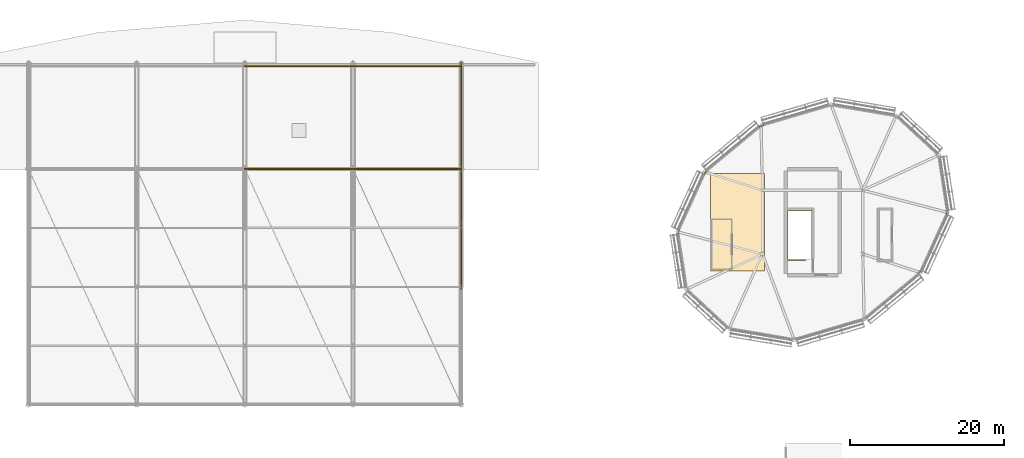
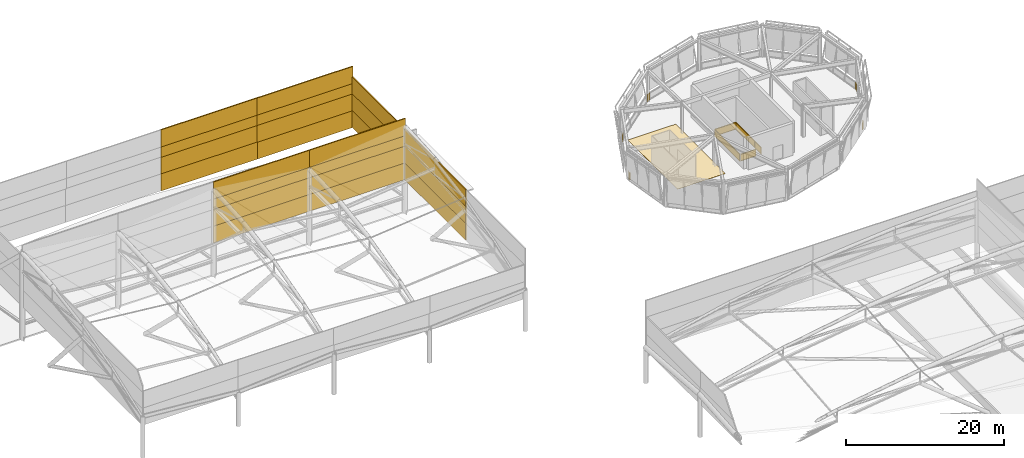
# One storey, part 112 of 113: 22 shading devices, 7 railings, 1 covering.
"""IFC4 building model written with IfcOpenShell, lengths in metres."""

import ifcopenshell
import ifcopenshell.guid

model = None  # the IFC model being written
_history = None  # IfcOwnerHistory: only IFC2X3 demands one
_inside = {}  # id of a spatial element -> (the spatial element, [elements in it])
_under = {}  # id of a project, library or spatial element -> (it, [spatial elements below it])
_declared = {}  # id of a project -> (the project, [libraries it declares])
_typed = {}  # id of a type object -> (the type object, [elements of that type])
_made_of = {}  # id of a material, layer set ... -> (it, [elements and type objects made of it])


def new_model(schema):
    """Start an empty IFC model of exactly this schema.

    Asked for "IFC4X3", IfcOpenShell would pick the latest addendum, in which some entities
    have other attributes; the version numbers below select the first issue.
    IFC2X3 requires an IfcOwnerHistory on every rooted entity: one is made here for all.
    """
    global model, _history
    if schema == "IFC4X3":
        model = ifcopenshell.file(schema_version=(4, 3, 0, 0))
    else:
        model = ifcopenshell.file(schema=schema)
    _inside.clear()
    _under.clear()
    _declared.clear()
    _typed.clear()
    _made_of.clear()
    _history = None
    if model.schema == "IFC2X3":
        org = make("IfcOrganization", Name="unknown")
        user = make(
            "IfcPersonAndOrganization",
            ThePerson=make("IfcPerson", FamilyName="unknown"),
            TheOrganization=org,
        )
        app = make(
            "IfcApplication",
            ApplicationDeveloper=org,
            Version="unknown",
            ApplicationFullName="unknown",
            ApplicationIdentifier="unknown",
        )
        _history = make(
            "IfcOwnerHistory",
            OwningUser=user,
            OwningApplication=app,
            ChangeAction="ADDED",
            CreationDate=0,
        )
    return model


def make(cls, **values):
    """One entity of the class cls with the attributes given. An attribute that is None is left unset."""
    return model.create_entity(
        cls, **{name: value for name, value in values.items() if value is not None}
    )


def rooted(cls, **values):
    """An entity with a GlobalId (a new one), such as an element, a storey or a relation."""
    return make(cls, GlobalId=ifcopenshell.guid.new(), OwnerHistory=_history, **values)


def si_unit(unit_type, name, prefix=None):
    """IfcSIUnit, for example si_unit("LENGTHUNIT", "METRE", prefix="MILLI")."""
    return make("IfcSIUnit", UnitType=unit_type, Prefix=prefix, Name=name)


def assignment(units):
    """IfcUnitAssignment: the units of a project."""
    return None if units is None else make("IfcUnitAssignment", Units=units)


def point(xyz):
    """IfcCartesianPoint."""
    return None if xyz is None else make("IfcCartesianPoint", Coordinates=xyz)


def direction(xyz):
    """IfcDirection."""
    return None if xyz is None else make("IfcDirection", DirectionRatios=xyz)


def frame(location, z_axis=None, x_axis=None):
    """IfcAxis2Placement3D, a coordinate frame: its origin and axes. An axis left out is left unset."""
    return make(
        "IfcAxis2Placement3D",
        Location=point(location),
        Axis=direction(z_axis),
        RefDirection=direction(x_axis),
    )


def frame_2d(location, x_axis=None):
    """IfcAxis2Placement2D, a coordinate frame in the plane: its origin and x axis."""
    return make(
        "IfcAxis2Placement2D", Location=point(location), RefDirection=direction(x_axis)
    )


def origin():
    """The frame at (0, 0, 0) with its axes left unset."""
    return frame((0.0, 0.0, 0.0))


def origin_2d():
    """The frame at (0, 0) in the plane with its x axis left unset."""
    return frame_2d((0.0, 0.0))


def place(relative_to, where):
    """IfcLocalPlacement: puts the frame where relative to a parent placement (None: the world)."""
    return make(
        "IfcLocalPlacement", PlacementRelTo=relative_to, RelativePlacement=where
    )


def context(
    kind, dimensions, precision=None, world=None, true_north=None, identifier=None
):
    """IfcGeometricRepresentationContext, for example the 3D "Model" context."""
    return make(
        "IfcGeometricRepresentationContext",
        ContextIdentifier=identifier,
        ContextType=kind,
        CoordinateSpaceDimension=dimensions,
        Precision=precision,
        WorldCoordinateSystem=world,
        TrueNorth=true_north,
    )


def subcontext(parent, identifier, kind, view, scale=None):
    """IfcGeometricRepresentationSubContext, for example "Body" below "Model"."""
    return make(
        "IfcGeometricRepresentationSubContext",
        ContextIdentifier=identifier,
        ContextType=kind,
        ParentContext=parent,
        TargetScale=scale,
        TargetView=view,
    )


def project(units=None, contexts=None):
    """IfcProject with its units and contexts."""
    return rooted(
        "IfcProject",
        Name="project",
        RepresentationContexts=contexts,
        UnitsInContext=assignment(units),
    )


def spatial(cls, under=None, at=None, **own):
    """A site, building, storey or space (cls), placed at a placement, below another one or the project."""
    s = rooted(cls, ObjectPlacement=at, **own)
    if under is not None:
        _under.setdefault(under.id(), (under, []))[1].append(s)
    return s


def polyline(points):
    """IfcPolyline through the points."""
    return make("IfcPolyline", Points=[point(p) for p in points])


def profile(cls, at=None, kind="AREA", **sizes):
    """A parametric profile (cls). Its sizes go by their IFC names, for example OverallWidth=200.0."""
    return make(cls, ProfileType=kind, Position=at, **sizes)


def rectangle(**sizes):
    """IfcRectangleProfileDef."""
    return profile("IfcRectangleProfileDef", **sizes)


def outline(outer, holes=None, kind="AREA"):
    """IfcArbitraryClosedProfileDef: a profile drawn as a closed curve; with holes, ...WithVoids."""
    if holes is None:
        return make("IfcArbitraryClosedProfileDef", ProfileType=kind, OuterCurve=outer)
    return make(
        "IfcArbitraryProfileDefWithVoids",
        ProfileType=kind,
        OuterCurve=outer,
        InnerCurves=holes,
    )


def extrude(swept, where, along, depth):
    """IfcExtrudedAreaSolid: the profile swept, set in the frame where, extruded along a direction by depth."""
    return make(
        "IfcExtrudedAreaSolid",
        SweptArea=swept,
        Position=where,
        ExtrudedDirection=direction(along),
        Depth=depth,
    )


def shape(context_of_items, identifier, shape_type, items):
    """IfcShapeRepresentation: the items that make up one representation, for example the "Body"."""
    return make(
        "IfcShapeRepresentation",
        ContextOfItems=context_of_items,
        RepresentationIdentifier=identifier,
        RepresentationType=shape_type,
        Items=items,
    )


def material(Name=None, Category=None):
    """IfcMaterial."""
    return make("IfcMaterial", Name=Name, Category=Category)


def layer(
    of_material, thickness, ventilated=None, Name=None, Category=None, Priority=None
):
    """IfcMaterialLayer: one layer of a wall or slab, of a material (None: an air gap)."""
    return make(
        "IfcMaterialLayer",
        Material=of_material,
        LayerThickness=thickness,
        IsVentilated=ventilated,
        Name=Name,
        Category=Category,
        Priority=Priority,
    )


def layer_set(layers, Name=None):
    """IfcMaterialLayerSet."""
    return make("IfcMaterialLayerSet", MaterialLayers=layers, LayerSetName=Name)


def made_of(thing, what):
    """Note that an element or type object is made of a material, layer set ...; save() writes the relation."""
    if what is not None:
        _made_of.setdefault(what.id(), (what, []))[1].append(thing)
    return thing


def type_object(cls, material=None, **own):
    """A type object (cls), such as IfcWallType, which elements share."""
    return made_of(rooted(cls, **own), material)


def element(
    cls,
    number,
    at=None,
    inside=None,
    cuts=None,
    type_object=None,
    material=None,
    context=None,
    identifier="Body",
    shape_type=None,
    held_by="IfcProductDefinitionShape",
    body=None,
    shapes=None,
    **own,
):
    """One element of the class cls, such as IfcWall. Its Tag is "e" and its number.

    at: its placement. inside: the storey or other place that contains it. cuts: it is an
    opening in that element (IfcRelVoidsElement). A single representation is given by context,
    identifier, shape_type and body (its items); several are given by shapes. held_by: the class
    of the entity that holds the representations. save() writes the other relations.
    """
    e = rooted(cls, Tag="e%d" % number, ObjectPlacement=at, **own)
    if body is not None:
        shapes = [shape(context, identifier, shape_type, body)]
    if shapes is not None:
        e.Representation = make(held_by, Representations=shapes)
    if inside is not None:
        _inside.setdefault(inside.id(), (inside, []))[1].append(e)
    if cuts is not None:
        rooted(
            "IfcRelVoidsElement", RelatingBuildingElement=cuts, RelatedOpeningElement=e
        )
    if type_object is not None:
        _typed.setdefault(type_object.id(), (type_object, []))[1].append(e)
    return made_of(e, material)


def aggregate(whole, parts):
    """IfcRelAggregates: a whole, such as a stair, and the parts it consists of."""
    return rooted("IfcRelAggregates", RelatingObject=whole, RelatedObjects=parts)


def save(model, path):
    """Write the relations noted so far, then the file.

    IfcRelAggregates (storeys below a building ...), IfcRelContainedInSpatialStructure (elements
    in a storey), IfcRelDefinesByType, IfcRelAssociatesMaterial and IfcRelDeclares: one each for
    every whole, place, type object, material and project.
    """
    for whole, parts in _under.values():
        aggregate(whole, parts)
    for where, things in _inside.values():
        rooted(
            "IfcRelContainedInSpatialStructure",
            RelatedElements=things,
            RelatingStructure=where,
        )
    for kind, things in _typed.values():
        rooted("IfcRelDefinesByType", RelatedObjects=things, RelatingType=kind)
    for what, things in _made_of.values():
        rooted("IfcRelAssociatesMaterial", RelatedObjects=things, RelatingMaterial=what)
    for by, libraries in _declared.values():
        rooted("IfcRelDeclares", RelatingContext=by, RelatedDefinitions=libraries)
    model.write(path)


model = new_model("IFC4")

# Units and contexts
model_context = context("Model", 3, precision=1e-05, world=origin(), true_north=direction((0.0, 1.0)))
body_context = subcontext(model_context, "Body", "Model", "MODEL_VIEW")
ifc_project = project(units=[si_unit("LENGTHUNIT", "METRE"), si_unit("AREAUNIT", "SQUARE_METRE"), si_unit("VOLUMEUNIT", "CUBIC_METRE"), si_unit("PLANEANGLEUNIT", "RADIAN"), si_unit("MASSUNIT", "GRAM", prefix="KILO")], contexts=[model_context])

# Site, building, storey
site_placement = place(None, origin())
site = spatial("IfcSite", under=ifc_project, at=site_placement, CompositionType="ELEMENT")
building_placement = place(site_placement, origin())
building = spatial("IfcBuilding", under=site, at=building_placement, Name="Linyun Crest Stadium", CompositionType="ELEMENT")
storey_placement = place(building_placement, frame((0.0, 0.0, 26.39990234375)))
storey = spatial("IfcBuildingStorey", under=building, at=storey_placement, Name="L06", CompositionType="ELEMENT", Elevation=26.39990234375)

# Covering
ifc_material_1 = material(Name="Polymeric cushioned multi-sport athletic flooring")
ifc_layer_1 = layer(ifc_material_1, 0.01806640625)
ifc_layer_set_1 = layer_set([ifc_layer_1], Name="Polymeric cushioned multi-sport athletic flooring")
covering_type = type_object("IfcCoveringType", Name="FLR01", PredefinedType="FLOORING", material=ifc_layer_set_1)
covering_placement = place(storey_placement, origin())
element("IfcCovering", 1, at=covering_placement, inside=storey, type_object=covering_type, Name="Athletic flooring FLR01 58", PredefinedType="FLOORING", context=body_context, shape_type="SweptSolid", body=[
    extrude(outline(polyline([(60.300048828125, 78.300048828125), (67.300048828125, 78.300048828125), (67.300048828125, 90.89990234375), (60.300048828125, 90.89990234375), (60.300048828125, 78.300048828125)])), origin(), (0.0, 0.0, 1.0), 0.01806640625),
])

# Railings
ifc_material_2 = material(Name="Galvanized and powder-coated steel bowl safety barrier", Category="steel")
railing_type_1 = type_object("IfcRailingType", Name="GR02", PredefinedType="GUARDRAIL", material=ifc_material_2)
railing_1_placement = place(storey_placement, frame((90.8740234375, 86.166015625, 0.0)))
element("IfcRailing", 2, at=railing_1_placement, inside=storey, type_object=railing_type_1, Name="Slab edge balustrade GR02 366", PredefinedType="GUARDRAIL", context=body_context, shape_type="SweptSolid", body=[
    extrude(rectangle(XDim=0.06005859375, YDim=0.06005859375, at=origin_2d()), frame((0.0, 0.0, 1.090087890625), z_axis=(0.1521871378, -0.988351696052, 0.0), x_axis=(0.988351696052, 0.1521871378, 0.0)), (0.0, 0.0, 1.0), 0.2822265625),
    extrude(rectangle(XDim=0.030029296875, YDim=1.0, at=origin_2d()), frame((0.0, 0.0, 0.56005859375), z_axis=(0.1521871378, -0.988351696052, 0.0), x_axis=(0.988351696052, 0.1521871378, 0.0)), (0.0, 0.0, 1.0), 0.2822265625),
    extrude(rectangle(XDim=0.06005859375, YDim=0.06005859375, at=origin_2d()), frame((0.0, 0.0, 0.030029296875), z_axis=(0.1521871378, -0.988351696052, 0.0), x_axis=(0.988351696052, 0.1521871378, 0.0)), (0.0, 0.0, 1.0), 0.2822265625),
    extrude(rectangle(XDim=0.06005859375, YDim=0.06005859375, at=origin_2d()), frame((0.04296875, -0.279052734375, 1.090087890625), z_axis=(-0.414063441435, -0.910248024698, 0.0), x_axis=(0.910248024698, -0.414063441435, 0.0)), (0.0, 0.0, 1.0), 0.282470703125),
    extrude(rectangle(XDim=0.030029296875, YDim=1.0, at=origin_2d()), frame((0.04296875, -0.279052734375, 0.56005859375), z_axis=(-0.414063441435, -0.910248024698, 0.0), x_axis=(0.910248024698, -0.414063441435, 0.0)), (0.0, 0.0, 1.0), 0.282470703125),
    extrude(rectangle(XDim=0.06005859375, YDim=0.06005859375, at=origin_2d()), frame((0.04296875, -0.279052734375, 0.030029296875), z_axis=(-0.414063441435, -0.910248024698, 0.0), x_axis=(0.910248024698, -0.414063441435, 0.0)), (0.0, 0.0, 1.0), 0.282470703125),
    extrude(rectangle(XDim=0.050048828125, YDim=0.050048828125, at=origin_2d()), origin(), (0.0, 0.0, 1.0), 1.1201171875),
    extrude(rectangle(XDim=0.050048828125, YDim=0.050048828125, at=origin_2d()), frame((0.04296875, -0.279052734375, 0.0)), (0.0, 0.0, 1.0), 1.1201171875),
    extrude(rectangle(XDim=0.050048828125, YDim=0.050048828125, at=origin_2d()), frame((-0.073974609375, -0.5361328125, 0.0)), (0.0, 0.0, 1.0), 1.1201171875),
])
railing_2_placement = place(storey_placement, frame((87.510986328125, 78.407958984375, 0.0)))
element("IfcRailing", 3, at=railing_2_placement, inside=storey, type_object=railing_type_1, Name="Slab edge balustrade GR02 367", PredefinedType="GUARDRAIL", context=body_context, shape_type="SweptSolid", body=[
    extrude(rectangle(XDim=0.06005859375, YDim=0.06005859375, at=origin_2d()), frame((0.0, 0.0, 1.090087890625), z_axis=(-0.414572445131, -0.910016311798, 0.0), x_axis=(0.910016311798, -0.414572445131, 0.0)), (0.0, 0.0, 1.0), 0.286865234375),
    extrude(rectangle(XDim=0.030029296875, YDim=1.0, at=origin_2d()), frame((0.0, 0.0, 0.56005859375), z_axis=(-0.414572445131, -0.910016311798, 0.0), x_axis=(0.910016311798, -0.414572445131, 0.0)), (0.0, 0.0, 1.0), 0.286865234375),
    extrude(rectangle(XDim=0.06005859375, YDim=0.06005859375, at=origin_2d()), frame((0.0, 0.0, 0.030029296875), z_axis=(-0.414572445131, -0.910016311798, 0.0), x_axis=(0.910016311798, -0.414572445131, 0.0)), (0.0, 0.0, 1.0), 0.286865234375),
    extrude(rectangle(XDim=0.06005859375, YDim=0.06005859375, at=origin_2d()), frame((-0.118896484375, -0.260986328125, 1.090087890625), z_axis=(-0.77066950633, -0.637235052404, 0.0), x_axis=(0.637235052404, -0.77066950633, 0.0)), (0.0, 0.0, 1.0), 0.285400390625),
    extrude(rectangle(XDim=0.030029296875, YDim=1.0, at=origin_2d()), frame((-0.118896484375, -0.260986328125, 0.56005859375), z_axis=(-0.77066950633, -0.637235052404, 0.0), x_axis=(0.637235052404, -0.77066950633, 0.0)), (0.0, 0.0, 1.0), 0.285400390625),
    extrude(rectangle(XDim=0.06005859375, YDim=0.06005859375, at=origin_2d()), frame((-0.118896484375, -0.260986328125, 0.030029296875), z_axis=(-0.77066950633, -0.637235052404, 0.0), x_axis=(0.637235052404, -0.77066950633, 0.0)), (0.0, 0.0, 1.0), 0.285400390625),
    extrude(rectangle(XDim=0.050048828125, YDim=0.050048828125, at=origin_2d()), origin(), (0.0, 0.0, 1.0), 1.1201171875),
    extrude(rectangle(XDim=0.050048828125, YDim=0.050048828125, at=origin_2d()), frame((-0.118896484375, -0.260986328125, 0.0)), (0.0, 0.0, 1.0), 1.1201171875),
    extrude(rectangle(XDim=0.050048828125, YDim=0.050048828125, at=origin_2d()), frame((-0.3388671875, -0.44287109375, 0.0)), (0.0, 0.0, 1.0), 1.1201171875),
])
railing_3_placement = place(storey_placement, frame((56.1259765625, 83.083984375, 0.0)))
element("IfcRailing", 4, at=railing_3_placement, inside=storey, type_object=railing_type_1, Name="Slab edge balustrade GR02 372", PredefinedType="GUARDRAIL", context=body_context, shape_type="SweptSolid", body=[
    extrude(rectangle(XDim=0.06005859375, YDim=0.06005859375, at=origin_2d()), frame((0.0, 0.0, 1.090087890625), z_axis=(-0.1521871378, 0.988351696052, 0.0), x_axis=(-0.988351696052, -0.1521871378, 0.0)), (0.0, 0.0, 1.0), 0.2822265625),
    extrude(rectangle(XDim=0.030029296875, YDim=1.0, at=origin_2d()), frame((0.0, 0.0, 0.56005859375), z_axis=(-0.1521871378, 0.988351696052, 0.0), x_axis=(-0.988351696052, -0.1521871378, 0.0)), (0.0, 0.0, 1.0), 0.2822265625),
    extrude(rectangle(XDim=0.06005859375, YDim=0.06005859375, at=origin_2d()), frame((0.0, 0.0, 0.030029296875), z_axis=(-0.1521871378, 0.988351696052, 0.0), x_axis=(-0.988351696052, -0.1521871378, 0.0)), (0.0, 0.0, 1.0), 0.2822265625),
    extrude(rectangle(XDim=0.06005859375, YDim=0.06005859375, at=origin_2d()), frame((-0.04296875, 0.279052734375, 1.090087890625), z_axis=(0.414063441435, 0.910248024698, 0.0), x_axis=(-0.910248024698, 0.414063441435, 0.0)), (0.0, 0.0, 1.0), 0.282470703125),
    extrude(rectangle(XDim=0.030029296875, YDim=1.0, at=origin_2d()), frame((-0.04296875, 0.279052734375, 0.56005859375), z_axis=(0.414063441435, 0.910248024698, 0.0), x_axis=(-0.910248024698, 0.414063441435, 0.0)), (0.0, 0.0, 1.0), 0.282470703125),
    extrude(rectangle(XDim=0.06005859375, YDim=0.06005859375, at=origin_2d()), frame((-0.04296875, 0.279052734375, 0.030029296875), z_axis=(0.414063441435, 0.910248024698, 0.0), x_axis=(-0.910248024698, 0.414063441435, 0.0)), (0.0, 0.0, 1.0), 0.282470703125),
    extrude(rectangle(XDim=0.050048828125, YDim=0.050048828125, at=origin_2d()), origin(), (0.0, 0.0, 1.0), 1.1201171875),
    extrude(rectangle(XDim=0.050048828125, YDim=0.050048828125, at=origin_2d()), frame((-0.04296875, 0.279052734375, 0.0)), (0.0, 0.0, 1.0), 1.1201171875),
    extrude(rectangle(XDim=0.050048828125, YDim=0.050048828125, at=origin_2d()), frame((0.073974609375, 0.5361328125, 0.0)), (0.0, 0.0, 1.0), 1.1201171875),
])
railing_4_placement = place(storey_placement, frame((59.489013671875, 90.842041015625, 0.0)))
element("IfcRailing", 5, at=railing_4_placement, inside=storey, type_object=railing_type_1, Name="Slab edge balustrade GR02 373", PredefinedType="GUARDRAIL", context=body_context, shape_type="SweptSolid", body=[
    extrude(rectangle(XDim=0.06005859375, YDim=0.06005859375, at=origin_2d()), frame((0.0, 0.0, 1.090087890625), z_axis=(0.414572445131, 0.910016311798, 0.0), x_axis=(-0.910016311798, 0.414572445131, 0.0)), (0.0, 0.0, 1.0), 0.286865234375),
    extrude(rectangle(XDim=0.030029296875, YDim=1.0, at=origin_2d()), frame((0.0, 0.0, 0.56005859375), z_axis=(0.414572445131, 0.910016311798, 0.0), x_axis=(-0.910016311798, 0.414572445131, 0.0)), (0.0, 0.0, 1.0), 0.286865234375),
    extrude(rectangle(XDim=0.06005859375, YDim=0.06005859375, at=origin_2d()), frame((0.0, 0.0, 0.030029296875), z_axis=(0.414572445131, 0.910016311798, 0.0), x_axis=(-0.910016311798, 0.414572445131, 0.0)), (0.0, 0.0, 1.0), 0.286865234375),
    extrude(rectangle(XDim=0.06005859375, YDim=0.06005859375, at=origin_2d()), frame((0.118896484375, 0.260986328125, 1.090087890625), z_axis=(0.77066950633, 0.637235052404, 0.0), x_axis=(-0.637235052404, 0.77066950633, 0.0)), (0.0, 0.0, 1.0), 0.285400390625),
    extrude(rectangle(XDim=0.030029296875, YDim=1.0, at=origin_2d()), frame((0.118896484375, 0.260986328125, 0.56005859375), z_axis=(0.77066950633, 0.637235052404, 0.0), x_axis=(-0.637235052404, 0.77066950633, 0.0)), (0.0, 0.0, 1.0), 0.285400390625),
    extrude(rectangle(XDim=0.06005859375, YDim=0.06005859375, at=origin_2d()), frame((0.118896484375, 0.260986328125, 0.030029296875), z_axis=(0.77066950633, 0.637235052404, 0.0), x_axis=(-0.637235052404, 0.77066950633, 0.0)), (0.0, 0.0, 1.0), 0.285400390625),
    extrude(rectangle(XDim=0.050048828125, YDim=0.050048828125, at=origin_2d()), origin(), (0.0, 0.0, 1.0), 1.1201171875),
    extrude(rectangle(XDim=0.050048828125, YDim=0.050048828125, at=origin_2d()), frame((0.118896484375, 0.260986328125, 0.0)), (0.0, 0.0, 1.0), 1.1201171875),
    extrude(rectangle(XDim=0.050048828125, YDim=0.050048828125, at=origin_2d()), frame((0.3388671875, 0.44287109375, 0.0)), (0.0, 0.0, 1.0), 1.1201171875),
])
railing_5_placement = place(storey_placement, frame((66.64111328125, 96.926025390625, 0.0)))
element("IfcRailing", 6, at=railing_5_placement, inside=storey, type_object=railing_type_1, Name="Slab edge balustrade GR02 374", PredefinedType="GUARDRAIL", context=body_context, shape_type="SweptSolid", body=[
    extrude(rectangle(XDim=0.06005859375, YDim=0.06005859375, at=origin_2d()), frame((0.0, 0.0, 1.090087890625), z_axis=(0.771758653069, 0.635915545818, 0.0), x_axis=(-0.635915545818, 0.771758653069, 0.0)), (0.0, 0.0, 1.0), 0.28759765625),
    extrude(rectangle(XDim=0.030029296875, YDim=1.0, at=origin_2d()), frame((0.0, 0.0, 0.56005859375), z_axis=(0.771758653069, 0.635915545818, 0.0), x_axis=(-0.635915545818, 0.771758653069, 0.0)), (0.0, 0.0, 1.0), 0.28759765625),
    extrude(rectangle(XDim=0.06005859375, YDim=0.06005859375, at=origin_2d()), frame((0.0, 0.0, 0.030029296875), z_axis=(0.771758653069, 0.635915545818, 0.0), x_axis=(-0.635915545818, 0.771758653069, 0.0)), (0.0, 0.0, 1.0), 0.28759765625),
    extrude(rectangle(XDim=0.06005859375, YDim=0.06005859375, at=origin_2d()), frame((0.221923828125, 0.182861328125, 1.090087890625), z_axis=(0.959446583049, 0.281890500506, 0.0), x_axis=(-0.281890500506, 0.959446583049, 0.0)), (0.0, 0.0, 1.0), 0.28759765625),
    extrude(rectangle(XDim=0.030029296875, YDim=1.0, at=origin_2d()), frame((0.221923828125, 0.182861328125, 0.56005859375), z_axis=(0.959446583049, 0.281890500506, 0.0), x_axis=(-0.281890500506, 0.959446583049, 0.0)), (0.0, 0.0, 1.0), 0.28759765625),
    extrude(rectangle(XDim=0.06005859375, YDim=0.06005859375, at=origin_2d()), frame((0.221923828125, 0.182861328125, 0.030029296875), z_axis=(0.959446583049, 0.281890500506, 0.0), x_axis=(-0.281890500506, 0.959446583049, 0.0)), (0.0, 0.0, 1.0), 0.28759765625),
    extrude(rectangle(XDim=0.050048828125, YDim=0.050048828125, at=origin_2d()), origin(), (0.0, 0.0, 1.0), 1.1201171875),
    extrude(rectangle(XDim=0.050048828125, YDim=0.050048828125, at=origin_2d()), frame((0.221923828125, 0.182861328125, 0.0)), (0.0, 0.0, 1.0), 1.1201171875),
    extrude(rectangle(XDim=0.050048828125, YDim=0.050048828125, at=origin_2d()), frame((0.497802734375, 0.263916015625, 0.0)), (0.0, 0.0, 1.0), 1.1201171875),
])
railing_6_placement = place(storey_placement, frame((70.364990234375, 79.7099609375, 0.0)))
element("IfcRailing", 7, at=railing_6_placement, inside=storey, type_object=railing_type_1, Name="Slab edge balustrade GR02 378", PredefinedType="GUARDRAIL", context=body_context, shape_type="SweptSolid", body=[
    extrude(rectangle(XDim=0.06005859375, YDim=0.06005859375, at=origin_2d()), frame((0.0, 0.0, 1.090087890625), z_axis=(1.0, 0.0, 0.0), x_axis=(0.0, 1.0, 0.0)), (0.0, 0.0, 1.0), 2.235107421875),
    extrude(rectangle(XDim=0.030029296875, YDim=1.0, at=origin_2d()), frame((0.0, 0.0, 0.56005859375), z_axis=(1.0, 0.0, 0.0), x_axis=(0.0, 1.0, 0.0)), (0.0, 0.0, 1.0), 2.235107421875),
    extrude(rectangle(XDim=0.06005859375, YDim=0.06005859375, at=origin_2d()), frame((0.0, 0.0, 0.030029296875), z_axis=(1.0, 0.0, 0.0), x_axis=(0.0, 1.0, 0.0)), (0.0, 0.0, 1.0), 2.235107421875),
    extrude(rectangle(XDim=0.050048828125, YDim=0.050048828125, at=origin_2d()), origin(), (0.0, 0.0, 1.0), 1.1201171875),
    extrude(rectangle(XDim=0.050048828125, YDim=0.050048828125, at=origin_2d()), frame((2.235107421875, 0.0, 0.0)), (0.0, 0.0, 1.0), 1.1201171875),
])
ifc_material_3 = material(Name="Painted steel stairwell safety guard", Category="steel")
railing_type_2 = type_object("IfcRailingType", Name="GR03", PredefinedType="GUARDRAIL", material=ifc_material_3)
railing_7_placement = place(storey_placement, frame((70.2548828125, 79.75, 0.0)))
element("IfcRailing", 8, at=railing_7_placement, inside=storey, type_object=railing_type_2, Name="STR-12-L05 top well guard", PredefinedType="GUARDRAIL", context=body_context, shape_type="SweptSolid", body=[
    extrude(rectangle(XDim=0.06005859375, YDim=0.06005859375, at=origin_2d()), frame((0.0, 0.0, 1.090087890625), z_axis=(0.0, 1.0, 0.0), x_axis=(-1.0, 0.0, 0.0)), (0.0, 0.0, 1.0), 6.3701171875),
    extrude(rectangle(XDim=0.030029296875, YDim=1.0, at=origin_2d()), frame((0.0, 0.0, 0.56005859375), z_axis=(0.0, 1.0, 0.0), x_axis=(-1.0, 0.0, 0.0)), (0.0, 0.0, 1.0), 6.3701171875),
    extrude(rectangle(XDim=0.06005859375, YDim=0.06005859375, at=origin_2d()), frame((0.0, 0.0, 0.030029296875), z_axis=(0.0, 1.0, 0.0), x_axis=(-1.0, 0.0, 0.0)), (0.0, 0.0, 1.0), 6.3701171875),
    extrude(rectangle(XDim=0.06005859375, YDim=0.06005859375, at=origin_2d()), frame((0.0, 6.3701171875, 1.090087890625), z_axis=(1.0, 0.0, 0.0), x_axis=(0.0, 1.0, 0.0)), (0.0, 0.0, 1.0), 3.115234375),
    extrude(rectangle(XDim=0.030029296875, YDim=1.0, at=origin_2d()), frame((0.0, 6.3701171875, 0.56005859375), z_axis=(1.0, 0.0, 0.0), x_axis=(0.0, 1.0, 0.0)), (0.0, 0.0, 1.0), 3.115234375),
    extrude(rectangle(XDim=0.06005859375, YDim=0.06005859375, at=origin_2d()), frame((0.0, 6.3701171875, 0.030029296875), z_axis=(1.0, 0.0, 0.0), x_axis=(0.0, 1.0, 0.0)), (0.0, 0.0, 1.0), 3.115234375),
    extrude(rectangle(XDim=0.06005859375, YDim=0.06005859375, at=origin_2d()), frame((3.115234375, 6.3701171875, 1.090087890625), z_axis=(0.0, -1.0, 0.0), x_axis=(1.0, 0.0, 0.0)), (0.0, 0.0, 1.0), 6.3701171875),
    extrude(rectangle(XDim=0.030029296875, YDim=1.0, at=origin_2d()), frame((3.115234375, 6.3701171875, 0.56005859375), z_axis=(0.0, -1.0, 0.0), x_axis=(1.0, 0.0, 0.0)), (0.0, 0.0, 1.0), 6.3701171875),
    extrude(rectangle(XDim=0.06005859375, YDim=0.06005859375, at=origin_2d()), frame((3.115234375, 6.3701171875, 0.030029296875), z_axis=(0.0, -1.0, 0.0), x_axis=(1.0, 0.0, 0.0)), (0.0, 0.0, 1.0), 6.3701171875),
    extrude(rectangle(XDim=0.050048828125, YDim=0.050048828125, at=origin_2d()), origin(), (0.0, 0.0, 1.0), 1.1201171875),
    extrude(rectangle(XDim=0.050048828125, YDim=0.050048828125, at=origin_2d()), frame((0.0, 1.592529296875, 0.0)), (0.0, 0.0, 1.0), 1.1201171875),
    extrude(rectangle(XDim=0.050048828125, YDim=0.050048828125, at=origin_2d()), frame((0.0, 3.18505859375, 0.0)), (0.0, 0.0, 1.0), 1.1201171875),
    extrude(rectangle(XDim=0.050048828125, YDim=0.050048828125, at=origin_2d()), frame((0.0, 4.777587890625, 0.0)), (0.0, 0.0, 1.0), 1.1201171875),
    extrude(rectangle(XDim=0.050048828125, YDim=0.050048828125, at=origin_2d()), frame((0.0, 6.3701171875, 0.0)), (0.0, 0.0, 1.0), 1.1201171875),
    extrude(rectangle(XDim=0.050048828125, YDim=0.050048828125, at=origin_2d()), frame((1.5576171875, 6.3701171875, 0.0)), (0.0, 0.0, 1.0), 1.1201171875),
    extrude(rectangle(XDim=0.050048828125, YDim=0.050048828125, at=origin_2d()), frame((3.115234375, 6.3701171875, 0.0)), (0.0, 0.0, 1.0), 1.1201171875),
    extrude(rectangle(XDim=0.050048828125, YDim=0.050048828125, at=origin_2d()), frame((3.115234375, 4.777587890625, 0.0)), (0.0, 0.0, 1.0), 1.1201171875),
    extrude(rectangle(XDim=0.050048828125, YDim=0.050048828125, at=origin_2d()), frame((3.115234375, 3.18505859375, 0.0)), (0.0, 0.0, 1.0), 1.1201171875),
    extrude(rectangle(XDim=0.050048828125, YDim=0.050048828125, at=origin_2d()), frame((3.115234375, 1.592529296875, 0.0)), (0.0, 0.0, 1.0), 1.1201171875),
    extrude(rectangle(XDim=0.050048828125, YDim=0.050048828125, at=origin_2d()), frame((3.115234375, 0.0, 0.0)), (0.0, 0.0, 1.0), 1.1201171875),
])

# Shading devices
ifc_material_4 = material(Name="Verdigris painted aluminium sun-louvre screen", Category="aluminium")
ifc_layer_2 = layer(ifc_material_4, 0.080078125)
ifc_layer_set_2 = layer_set([ifc_layer_2], Name="Verdigris painted aluminium sun-louvre screen")
shading_device_type_1 = type_object("IfcShadingDeviceType", Name="SD01", PredefinedType="JALOUSIE", material=ifc_layer_set_2)
for number, where, z_axis, x_axis, name in (
    (9, (7.0, 104.800048828125, 4.875244140625), (0.0, 0.0, 1.0), (1.0, 0.0, 0.0), "North canopy louvre screen SD01 199"),
    (10, (7.0, 104.800048828125, 7.47509765625), (0.0, 0.0, 1.0), (1.0, 0.0, 0.0), "North canopy louvre screen SD01 202"),
    (11, (7.0, 104.800048828125, 10.0751953125), (0.0, 0.0, 1.0), (1.0, 0.0, 0.0), "North canopy louvre screen SD01 205"),
    (12, (7.0, 104.800048828125, 11.675048828125), (0.0, 0.0, 1.0), (1.0, 0.0, 0.0), "North canopy louvre screen SD01 207"),
    (13, (21.0, 104.800048828125, 4.875244140625), (0.0, 0.0, 1.0), (1.0, 0.0, 0.0), "North canopy louvre screen SD01 209"),
    (14, (21.0, 104.800048828125, 7.47509765625), (0.0, 0.0, 1.0), (1.0, 0.0, 0.0), "North canopy louvre screen SD01 212"),
    (15, (21.0, 104.800048828125, 10.0751953125), (0.0, 0.0, 1.0), (1.0, 0.0, 0.0), "North canopy louvre screen SD01 215"),
    (16, (21.0, 104.800048828125, 11.675048828125), (0.0, 0.0, 1.0), (1.0, 0.0, 0.0), "North canopy louvre screen SD01 217"),
):
    element("IfcShadingDevice", number, at=place(storey_placement, frame(where, z_axis=z_axis, x_axis=x_axis)), inside=storey, type_object=shading_device_type_1, Name=name, PredefinedType="JALOUSIE", context=body_context, shape_type="SweptSolid", body=[
        extrude(rectangle(XDim=14.10009765625, YDim=0.159912109375, at=origin_2d()), origin(), (0.0, 0.0, 1.0), 2.64990234375),
    ])
ifc_material_5 = material(Name="Glazed ceramic faience brise-soleil screen")
ifc_layer_3 = layer(ifc_material_5, 0.10009765625)
ifc_layer_set_3 = layer_set([ifc_layer_3], Name="Glazed ceramic faience brise-soleil screen")
shading_device_type_2 = type_object("IfcShadingDeviceType", Name="SD02", PredefinedType="SHUTTER", material=ifc_layer_set_3)
for number, where, z_axis, x_axis, name in (
    (17, (7.0, 91.5, 4.875244140625), (0.0, 0.0, 1.0), (1.0, 0.0, 0.0), "North canopy louvre screen SD02 200"),
    (18, (7.0, 91.5, 7.47509765625), (0.0, 0.0, 1.0), (1.0, 0.0, 0.0), "North canopy louvre screen SD02 203"),
    (19, (7.0, 91.5, 10.0751953125), (0.0, 0.0, 1.0), (1.0, 0.0, 0.0), "North canopy louvre screen SD02 206"),
    (20, (7.0, 91.5, 11.675048828125), (0.0, 0.0, 1.0), (1.0, 0.0, 0.0), "North canopy louvre screen SD02 208"),
    (21, (21.0, 91.5, 4.875244140625), (0.0, 0.0, 1.0), (1.0, 0.0, 0.0), "North canopy louvre screen SD02 210"),
    (22, (21.0, 91.5, 7.47509765625), (0.0, 0.0, 1.0), (1.0, 0.0, 0.0), "North canopy louvre screen SD02 213"),
    (23, (21.0, 91.5, 10.0751953125), (0.0, 0.0, 1.0), (1.0, 0.0, 0.0), "North canopy louvre screen SD02 216"),
    (24, (21.0, 91.5, 11.675048828125), (0.0, 0.0, 1.0), (1.0, 0.0, 0.0), "North canopy louvre screen SD02 218"),
):
    element("IfcShadingDevice", number, at=place(storey_placement, frame(where, z_axis=z_axis, x_axis=x_axis)), inside=storey, type_object=shading_device_type_2, Name=name, PredefinedType="SHUTTER", context=body_context, shape_type="SweptSolid", body=[
        extrude(rectangle(XDim=14.10009765625, YDim=0.159912109375, at=origin_2d()), origin(), (0.0, 0.0, 1.0), 2.64990234375),
    ])
for number, where, z_axis, x_axis, name in (
    (25, (28.0, 83.75, 4.875244140625), (0.0, 0.0, 1.0), (1.0, 0.0, 0.0), "North gable louvre screen SD02 231"),
    (26, (28.0, 83.75, 7.47509765625), (0.0, 0.0, 1.0), (1.0, 0.0, 0.0), "North gable louvre screen SD02 232"),
    (27, (28.0, 83.75, 10.0751953125), (0.0, 0.0, 1.0), (1.0, 0.0, 0.0), "North gable louvre screen SD02 233"),
):
    element("IfcShadingDevice", number, at=place(storey_placement, frame(where, z_axis=z_axis, x_axis=x_axis)), inside=storey, type_object=shading_device_type_2, Name=name, PredefinedType="SHUTTER", context=body_context, shape_type="SweptSolid", body=[
        extrude(rectangle(XDim=0.159912109375, YDim=15.60009765625, at=origin_2d()), origin(), (0.0, 0.0, 1.0), 2.64990234375),
    ])
for number, where, z_axis, x_axis, name in (
    (28, (28.0, 98.375, 4.875244140625), (0.0, 0.0, 1.0), (1.0, 0.0, 0.0), "North gable louvre screen SD02 234"),
    (29, (28.0, 98.375, 7.47509765625), (0.0, 0.0, 1.0), (1.0, 0.0, 0.0), "North gable louvre screen SD02 235"),
    (30, (28.0, 98.375, 10.0751953125), (0.0, 0.0, 1.0), (1.0, 0.0, 0.0), "North gable louvre screen SD02 236"),
):
    element("IfcShadingDevice", number, at=place(storey_placement, frame(where, z_axis=z_axis, x_axis=x_axis)), inside=storey, type_object=shading_device_type_2, Name=name, PredefinedType="SHUTTER", context=body_context, shape_type="SweptSolid", body=[
        extrude(rectangle(XDim=0.159912109375, YDim=13.85009765625, at=origin_2d()), origin(), (0.0, 0.0, 1.0), 2.64990234375),
    ])

save(model, "model.ifc")
